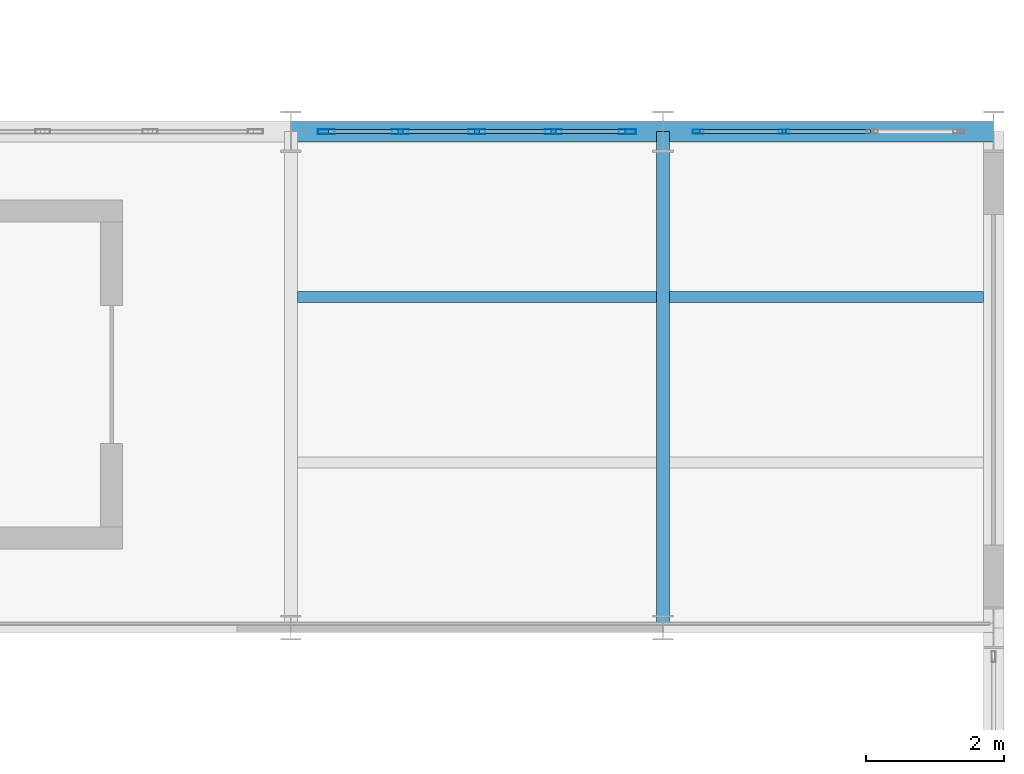
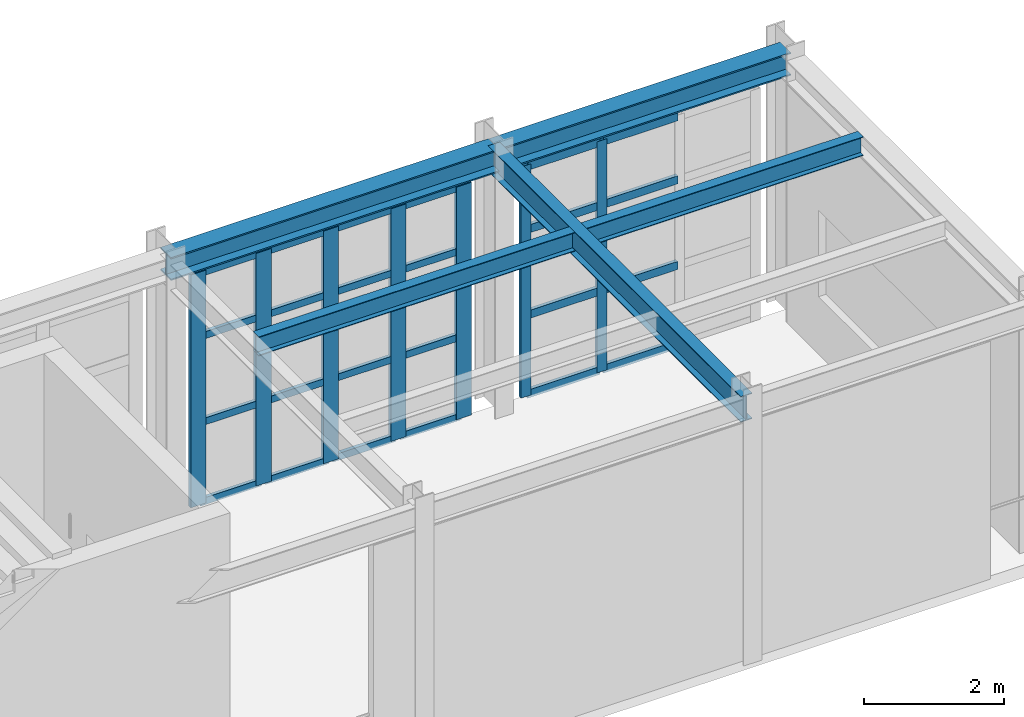
# One storey, part 60 of 121: 31 members, 5 beams, 2 elements without a shape of their own.
"""IFC4 building model written with IfcOpenShell, lengths in metres."""

import ifcopenshell
import ifcopenshell.guid

model = None  # the IFC model being written
_history = None  # IfcOwnerHistory: only IFC2X3 demands one
_inside = {}  # id of a spatial element -> (the spatial element, [elements in it])
_under = {}  # id of a project, library or spatial element -> (it, [spatial elements below it])
_declared = {}  # id of a project -> (the project, [libraries it declares])
_typed = {}  # id of a type object -> (the type object, [elements of that type])
_made_of = {}  # id of a material, layer set ... -> (it, [elements and type objects made of it])


def new_model(schema):
    """Start an empty IFC model of exactly this schema.

    Asked for "IFC4X3", IfcOpenShell would pick the latest addendum, in which some entities
    have other attributes; the version numbers below select the first issue.
    IFC2X3 requires an IfcOwnerHistory on every rooted entity: one is made here for all.
    """
    global model, _history
    if schema == "IFC4X3":
        model = ifcopenshell.file(schema_version=(4, 3, 0, 0))
    else:
        model = ifcopenshell.file(schema=schema)
    _inside.clear()
    _under.clear()
    _declared.clear()
    _typed.clear()
    _made_of.clear()
    _history = None
    if model.schema == "IFC2X3":
        org = make("IfcOrganization", Name="unknown")
        user = make(
            "IfcPersonAndOrganization",
            ThePerson=make("IfcPerson", FamilyName="unknown"),
            TheOrganization=org,
        )
        app = make(
            "IfcApplication",
            ApplicationDeveloper=org,
            Version="unknown",
            ApplicationFullName="unknown",
            ApplicationIdentifier="unknown",
        )
        _history = make(
            "IfcOwnerHistory",
            OwningUser=user,
            OwningApplication=app,
            ChangeAction="ADDED",
            CreationDate=0,
        )
    return model


def make(cls, **values):
    """One entity of the class cls with the attributes given. An attribute that is None is left unset."""
    return model.create_entity(
        cls, **{name: value for name, value in values.items() if value is not None}
    )


def rooted(cls, **values):
    """An entity with a GlobalId (a new one), such as an element, a storey or a relation."""
    return make(cls, GlobalId=ifcopenshell.guid.new(), OwnerHistory=_history, **values)


def si_unit(unit_type, name, prefix=None):
    """IfcSIUnit, for example si_unit("LENGTHUNIT", "METRE", prefix="MILLI")."""
    return make("IfcSIUnit", UnitType=unit_type, Prefix=prefix, Name=name)


def assignment(units):
    """IfcUnitAssignment: the units of a project."""
    return None if units is None else make("IfcUnitAssignment", Units=units)


def point(xyz):
    """IfcCartesianPoint."""
    return None if xyz is None else make("IfcCartesianPoint", Coordinates=xyz)


def direction(xyz):
    """IfcDirection."""
    return None if xyz is None else make("IfcDirection", DirectionRatios=xyz)


def frame(location, z_axis=None, x_axis=None):
    """IfcAxis2Placement3D, a coordinate frame: its origin and axes. An axis left out is left unset."""
    return make(
        "IfcAxis2Placement3D",
        Location=point(location),
        Axis=direction(z_axis),
        RefDirection=direction(x_axis),
    )


def frame_2d(location, x_axis=None):
    """IfcAxis2Placement2D, a coordinate frame in the plane: its origin and x axis."""
    return make(
        "IfcAxis2Placement2D", Location=point(location), RefDirection=direction(x_axis)
    )


def origin():
    """The frame at (0, 0, 0) with its axes left unset."""
    return frame((0.0, 0.0, 0.0))


def origin_2d():
    """The frame at (0, 0) in the plane with its x axis left unset."""
    return frame_2d((0.0, 0.0))


def place(relative_to, where):
    """IfcLocalPlacement: puts the frame where relative to a parent placement (None: the world)."""
    return make(
        "IfcLocalPlacement", PlacementRelTo=relative_to, RelativePlacement=where
    )


def context(
    kind, dimensions, precision=None, world=None, true_north=None, identifier=None
):
    """IfcGeometricRepresentationContext, for example the 3D "Model" context."""
    return make(
        "IfcGeometricRepresentationContext",
        ContextIdentifier=identifier,
        ContextType=kind,
        CoordinateSpaceDimension=dimensions,
        Precision=precision,
        WorldCoordinateSystem=world,
        TrueNorth=true_north,
    )


def subcontext(parent, identifier, kind, view, scale=None):
    """IfcGeometricRepresentationSubContext, for example "Body" below "Model"."""
    return make(
        "IfcGeometricRepresentationSubContext",
        ContextIdentifier=identifier,
        ContextType=kind,
        ParentContext=parent,
        TargetScale=scale,
        TargetView=view,
    )


def project(units=None, contexts=None):
    """IfcProject with its units and contexts."""
    return rooted(
        "IfcProject",
        Name="project",
        RepresentationContexts=contexts,
        UnitsInContext=assignment(units),
    )


def spatial(cls, under=None, at=None, **own):
    """A site, building, storey or space (cls), placed at a placement, below another one or the project."""
    s = rooted(cls, ObjectPlacement=at, **own)
    if under is not None:
        _under.setdefault(under.id(), (under, []))[1].append(s)
    return s


def profile(cls, at=None, kind="AREA", **sizes):
    """A parametric profile (cls). Its sizes go by their IFC names, for example OverallWidth=200.0."""
    return make(cls, ProfileType=kind, Position=at, **sizes)


def hollow_rectangle(**sizes):
    """IfcRectangleHollowProfileDef."""
    return profile("IfcRectangleHollowProfileDef", **sizes)


def i_section(**sizes):
    """IfcIShapeProfileDef."""
    return profile("IfcIShapeProfileDef", **sizes)


def extrude(swept, where, along, depth):
    """IfcExtrudedAreaSolid: the profile swept, set in the frame where, extruded along a direction by depth."""
    return make(
        "IfcExtrudedAreaSolid",
        SweptArea=swept,
        Position=where,
        ExtrudedDirection=direction(along),
        Depth=depth,
    )


def shape(context_of_items, identifier, shape_type, items):
    """IfcShapeRepresentation: the items that make up one representation, for example the "Body"."""
    return make(
        "IfcShapeRepresentation",
        ContextOfItems=context_of_items,
        RepresentationIdentifier=identifier,
        RepresentationType=shape_type,
        Items=items,
    )


def material(Name=None, Category=None):
    """IfcMaterial."""
    return make("IfcMaterial", Name=Name, Category=Category)


def layer(
    of_material, thickness, ventilated=None, Name=None, Category=None, Priority=None
):
    """IfcMaterialLayer: one layer of a wall or slab, of a material (None: an air gap)."""
    return make(
        "IfcMaterialLayer",
        Material=of_material,
        LayerThickness=thickness,
        IsVentilated=ventilated,
        Name=Name,
        Category=Category,
        Priority=Priority,
    )


def layer_set(layers, Name=None):
    """IfcMaterialLayerSet."""
    return make("IfcMaterialLayerSet", MaterialLayers=layers, LayerSetName=Name)


def material_profile(
    of_material, cross_section, Name=None, Category=None, Priority=None
):
    """IfcMaterialProfile: a cross section and its material."""
    return make(
        "IfcMaterialProfile",
        Name=Name,
        Material=of_material,
        Profile=cross_section,
        Priority=Priority,
        Category=Category,
    )


def profile_set(profiles, Name=None, composite=None):
    """IfcMaterialProfileSet."""
    return make(
        "IfcMaterialProfileSet",
        Name=Name,
        MaterialProfiles=profiles,
        CompositeProfile=composite,
    )


def made_of(thing, what):
    """Note that an element or type object is made of a material, layer set ...; save() writes the relation."""
    if what is not None:
        _made_of.setdefault(what.id(), (what, []))[1].append(thing)
    return thing


def type_object(cls, material=None, **own):
    """A type object (cls), such as IfcWallType, which elements share."""
    return made_of(rooted(cls, **own), material)


def element(
    cls,
    number,
    at=None,
    inside=None,
    cuts=None,
    type_object=None,
    material=None,
    context=None,
    identifier="Body",
    shape_type=None,
    held_by="IfcProductDefinitionShape",
    body=None,
    shapes=None,
    **own,
):
    """One element of the class cls, such as IfcWall. Its Tag is "e" and its number.

    at: its placement. inside: the storey or other place that contains it. cuts: it is an
    opening in that element (IfcRelVoidsElement). A single representation is given by context,
    identifier, shape_type and body (its items); several are given by shapes. held_by: the class
    of the entity that holds the representations. save() writes the other relations.
    """
    e = rooted(cls, Tag="e%d" % number, ObjectPlacement=at, **own)
    if body is not None:
        shapes = [shape(context, identifier, shape_type, body)]
    if shapes is not None:
        e.Representation = make(held_by, Representations=shapes)
    if inside is not None:
        _inside.setdefault(inside.id(), (inside, []))[1].append(e)
    if cuts is not None:
        rooted(
            "IfcRelVoidsElement", RelatingBuildingElement=cuts, RelatedOpeningElement=e
        )
    if type_object is not None:
        _typed.setdefault(type_object.id(), (type_object, []))[1].append(e)
    return made_of(e, material)


def aggregate(whole, parts):
    """IfcRelAggregates: a whole, such as a stair, and the parts it consists of."""
    return rooted("IfcRelAggregates", RelatingObject=whole, RelatedObjects=parts)


def save(model, path):
    """Write the relations noted so far, then the file.

    IfcRelAggregates (storeys below a building ...), IfcRelContainedInSpatialStructure (elements
    in a storey), IfcRelDefinesByType, IfcRelAssociatesMaterial and IfcRelDeclares: one each for
    every whole, place, type object, material and project.
    """
    for whole, parts in _under.values():
        aggregate(whole, parts)
    for where, things in _inside.values():
        rooted(
            "IfcRelContainedInSpatialStructure",
            RelatedElements=things,
            RelatingStructure=where,
        )
    for kind, things in _typed.values():
        rooted("IfcRelDefinesByType", RelatedObjects=things, RelatingType=kind)
    for what, things in _made_of.values():
        rooted("IfcRelAssociatesMaterial", RelatedObjects=things, RelatingMaterial=what)
    for by, libraries in _declared.values():
        rooted("IfcRelDeclares", RelatingContext=by, RelatedDefinitions=libraries)
    model.write(path)


model = new_model("IFC4")

# Units and contexts
model_context = context("Model", 3, precision=1e-05, world=origin(), true_north=direction((0.0, 1.0)))
body_context = subcontext(model_context, "Body", "Model", "MODEL_VIEW")
ifc_project = project(units=[si_unit("LENGTHUNIT", "METRE"), si_unit("AREAUNIT", "SQUARE_METRE"), si_unit("VOLUMEUNIT", "CUBIC_METRE"), si_unit("PLANEANGLEUNIT", "RADIAN"), si_unit("MASSUNIT", "GRAM", prefix="KILO")], contexts=[model_context])

# Site, building, storey
site_placement = place(None, origin())
site = spatial("IfcSite", under=ifc_project, at=site_placement, CompositionType="ELEMENT")
building_placement = place(site_placement, origin())
building = spatial("IfcBuilding", under=site, at=building_placement, Name="Solvadek Multi-Sports Hall", CompositionType="ELEMENT")
storey_placement = place(building_placement, frame((0.0, 0.0, 4.800048828125)))
storey = spatial("IfcBuildingStorey", under=building, at=storey_placement, Name="L01", CompositionType="ELEMENT", Elevation=4.800048828125)

# Curtain wall, members
ifc_material_1 = material(Name="Anodised aluminium", Category="aluminium")
ifc_layer_1 = layer(ifc_material_1, 0.159912109375, Name="Anodised aluminium")
ifc_layer_set_1 = layer_set([ifc_layer_1], Name="Anodised aluminium")
curtain_wall_type_1 = type_object("IfcCurtainWallType", Name="ENV-CW-384X402", PredefinedType="USERDEFINED", material=ifc_layer_set_1)
curtain_wall_1_placement = place(storey_placement, origin())
curtain_wall_1 = element("IfcCurtainWall", 1, at=curtain_wall_1_placement, inside=storey, type_object=curtain_wall_type_1, Name="L01 Perimeter Bay Curtain Wall #141", ObjectType="CURTAIN WALL", PredefinedType="USERDEFINED")
ifc_material_profile_1 = material_profile(ifc_material_1, hollow_rectangle(XDim=0.06005859375, YDim=0.159912109375, WallThickness=0.00390625, at=origin_2d()), Name="ALU-M 160x60x4")
ifc_profile_set_1 = profile_set([ifc_material_profile_1], Name="Anodised aluminium")
member_type_1 = type_object("IfcMemberType", Name="ENV-CWM-01", PredefinedType="MULLION", material=ifc_profile_set_1)
member_1_placement = place(storey_placement, frame((157.110107421875, 70.800048828125, 0.0), z_axis=(0.0, 0.0, 1.0), x_axis=(0.0, 1.0, 0.0)))
member_1 = element("IfcMember", 2, at=member_1_placement, type_object=member_type_1, Name="CW-49 mullion 1", PredefinedType="MULLION", context=body_context, shape_type="SweptSolid", body=[
    extrude(hollow_rectangle(XDim=0.06005859375, YDim=0.159912109375, WallThickness=0.00390625, at=origin_2d()), origin(), (0.0, 0.0, 1.0), 4.02490234375),
])
member_2_placement = place(storey_placement, frame((158.360107421875, 70.800048828125, 0.0), z_axis=(0.0, 0.0, 1.0), x_axis=(0.0, 1.0, 0.0)))
member_2 = element("IfcMember", 3, at=member_2_placement, type_object=member_type_1, Name="CW-49 mullion 2", PredefinedType="MULLION", context=body_context, shape_type="SweptSolid", body=[
    extrude(hollow_rectangle(XDim=0.06005859375, YDim=0.159912109375, WallThickness=0.00390625, at=origin_2d()), origin(), (0.0, 0.0, 1.0), 4.02490234375),
])

ifc_layer_2 = layer(ifc_material_1, 0.159912109375, Name="Anodised aluminium")
ifc_layer_set_2 = layer_set([ifc_layer_2], Name="Anodised aluminium")
curtain_wall_type_2 = type_object("IfcCurtainWallType", Name="ENV-CW-444X405", PredefinedType="USERDEFINED", material=ifc_layer_set_2)
curtain_wall_2_placement = place(storey_placement, origin())
curtain_wall_2 = element("IfcCurtainWall", 4, at=curtain_wall_2_placement, inside=storey, type_object=curtain_wall_type_2, Name="L01 Perimeter Bay Curtain Wall #137", ObjectType="CURTAIN WALL", PredefinedType="USERDEFINED")
ifc_material_profile_2 = material_profile(ifc_material_1, hollow_rectangle(XDim=0.070068359375, YDim=0.25, WallThickness=0.0048828125, at=origin_2d()), Name="ALU-M 250x70x5")
ifc_profile_set_2 = profile_set([ifc_material_profile_2], Name="Anodised aluminium")
member_type_2 = type_object("IfcMemberType", Name="ENV-CWM-05", PredefinedType="MULLION", material=ifc_profile_set_2)
member_3_placement = place(storey_placement, frame((151.715087890625, 70.800048828125, 0.0), z_axis=(0.0, 0.0, 1.0), x_axis=(0.0, 1.0, 0.0)))
member_3 = element("IfcMember", 5, at=member_3_placement, type_object=member_type_2, Name="CW-46 mullion 1", PredefinedType="MULLION", context=body_context, shape_type="SweptSolid", body=[
    extrude(hollow_rectangle(XDim=0.070068359375, YDim=0.25, WallThickness=0.0048828125, at=origin_2d()), origin(), (0.0, 0.0, 1.0), 4.050048828125),
])
member_4_placement = place(storey_placement, frame((152.7900390625, 70.800048828125, 0.0), z_axis=(0.0, 0.0, 1.0), x_axis=(0.0, 1.0, 0.0)))
member_4 = element("IfcMember", 6, at=member_4_placement, type_object=member_type_2, Name="CW-46 mullion 2", PredefinedType="MULLION", context=body_context, shape_type="SweptSolid", body=[
    extrude(hollow_rectangle(XDim=0.070068359375, YDim=0.25, WallThickness=0.0048828125, at=origin_2d()), origin(), (0.0, 0.0, 1.0), 4.050048828125),
])
member_5_placement = place(storey_placement, frame((153.89990234375, 70.800048828125, 0.0), z_axis=(0.0, 0.0, 1.0), x_axis=(0.0, 1.0, 0.0)))
member_5 = element("IfcMember", 7, at=member_5_placement, type_object=member_type_2, Name="CW-46 mullion 3", PredefinedType="MULLION", context=body_context, shape_type="SweptSolid", body=[
    extrude(hollow_rectangle(XDim=0.070068359375, YDim=0.25, WallThickness=0.0048828125, at=origin_2d()), origin(), (0.0, 0.0, 1.0), 4.050048828125),
])
member_6_placement = place(storey_placement, frame((155.010009765625, 70.800048828125, 0.0), z_axis=(0.0, 0.0, 1.0), x_axis=(0.0, 1.0, 0.0)))
member_6 = element("IfcMember", 8, at=member_6_placement, type_object=member_type_2, Name="CW-46 mullion 4", PredefinedType="MULLION", context=body_context, shape_type="SweptSolid", body=[
    extrude(hollow_rectangle(XDim=0.070068359375, YDim=0.25, WallThickness=0.0048828125, at=origin_2d()), origin(), (0.0, 0.0, 1.0), 4.050048828125),
])
member_7_placement = place(storey_placement, frame((156.0849609375, 70.800048828125, 0.0), z_axis=(0.0, 0.0, 1.0), x_axis=(0.0, 1.0, 0.0)))
member_7 = element("IfcMember", 9, at=member_7_placement, type_object=member_type_2, Name="CW-46 mullion 5", PredefinedType="MULLION", context=body_context, shape_type="SweptSolid", body=[
    extrude(hollow_rectangle(XDim=0.070068359375, YDim=0.25, WallThickness=0.0048828125, at=origin_2d()), origin(), (0.0, 0.0, 1.0), 4.050048828125),
])
ifc_material_profile_3 = material_profile(ifc_material_1, hollow_rectangle(XDim=0.06005859375, YDim=0.1201171875, WallThickness=0.00390625, at=origin_2d()), Name="ALU-T 120x60x4")
ifc_profile_set_3 = profile_set([ifc_material_profile_3], Name="Anodised aluminium")
member_type_3 = type_object("IfcMemberType", Name="ENV-CWT-01", PredefinedType="USERDEFINED", material=ifc_profile_set_3)
member_8_placement = place(storey_placement, frame((151.75, 70.800048828125, 0.030029296875), z_axis=(1.0, 0.0, 0.0), x_axis=(0.0, 1.0, 0.0)))
member_8 = element("IfcMember", 10, at=member_8_placement, type_object=member_type_3, Name="CW-46 transom 1.1", ObjectType="TRANSOM", PredefinedType="USERDEFINED", context=body_context, shape_type="SweptSolid", body=[
    extrude(hollow_rectangle(XDim=0.06005859375, YDim=0.1201171875, WallThickness=0.00390625, at=origin_2d()), origin(), (0.0, 0.0, 1.0), 1.0048828125),
])
member_9_placement = place(storey_placement, frame((151.75, 70.800048828125, 1.4169921875), z_axis=(1.0, 0.0, 0.0), x_axis=(0.0, 1.0, 0.0)))
member_9 = element("IfcMember", 11, at=member_9_placement, type_object=member_type_3, Name="CW-46 transom 1.2", ObjectType="TRANSOM", PredefinedType="USERDEFINED", context=body_context, shape_type="SweptSolid", body=[
    extrude(hollow_rectangle(XDim=0.06005859375, YDim=0.1201171875, WallThickness=0.00390625, at=origin_2d()), origin(), (0.0, 0.0, 1.0), 1.0048828125),
])
member_10_placement = place(storey_placement, frame((151.75, 70.800048828125, 2.916015625), z_axis=(1.0, 0.0, 0.0), x_axis=(0.0, 1.0, 0.0)))
member_10 = element("IfcMember", 12, at=member_10_placement, type_object=member_type_3, Name="CW-46 transom 1.3", ObjectType="TRANSOM", PredefinedType="USERDEFINED", context=body_context, shape_type="SweptSolid", body=[
    extrude(hollow_rectangle(XDim=0.06005859375, YDim=0.1201171875, WallThickness=0.00390625, at=origin_2d()), origin(), (0.0, 0.0, 1.0), 1.0048828125),
])
member_11_placement = place(storey_placement, frame((151.75, 70.800048828125, 4.02001953125), z_axis=(1.0, 0.0, 0.0), x_axis=(0.0, 1.0, 0.0)))
member_11 = element("IfcMember", 13, at=member_11_placement, type_object=member_type_3, Name="CW-46 transom 1.4", ObjectType="TRANSOM", PredefinedType="USERDEFINED", context=body_context, shape_type="SweptSolid", body=[
    extrude(hollow_rectangle(XDim=0.06005859375, YDim=0.1201171875, WallThickness=0.00390625, at=origin_2d()), origin(), (0.0, 0.0, 1.0), 1.0048828125),
])
member_12_placement = place(storey_placement, frame((152.824951171875, 70.800048828125, 0.030029296875), z_axis=(1.0, 0.0, 0.0), x_axis=(0.0, 1.0, 0.0)))
member_12 = element("IfcMember", 14, at=member_12_placement, type_object=member_type_3, Name="CW-46 transom 2.1", ObjectType="TRANSOM", PredefinedType="USERDEFINED", context=body_context, shape_type="SweptSolid", body=[
    extrude(hollow_rectangle(XDim=0.06005859375, YDim=0.1201171875, WallThickness=0.00390625, at=origin_2d()), origin(), (0.0, 0.0, 1.0), 1.0400390625),
])
member_13_placement = place(storey_placement, frame((152.824951171875, 70.800048828125, 1.4169921875), z_axis=(1.0, 0.0, 0.0), x_axis=(0.0, 1.0, 0.0)))
member_13 = element("IfcMember", 15, at=member_13_placement, type_object=member_type_3, Name="CW-46 transom 2.2", ObjectType="TRANSOM", PredefinedType="USERDEFINED", context=body_context, shape_type="SweptSolid", body=[
    extrude(hollow_rectangle(XDim=0.06005859375, YDim=0.1201171875, WallThickness=0.00390625, at=origin_2d()), origin(), (0.0, 0.0, 1.0), 1.0400390625),
])
member_14_placement = place(storey_placement, frame((152.824951171875, 70.800048828125, 2.916015625), z_axis=(1.0, 0.0, 0.0), x_axis=(0.0, 1.0, 0.0)))
member_14 = element("IfcMember", 16, at=member_14_placement, type_object=member_type_3, Name="CW-46 transom 2.3", ObjectType="TRANSOM", PredefinedType="USERDEFINED", context=body_context, shape_type="SweptSolid", body=[
    extrude(hollow_rectangle(XDim=0.06005859375, YDim=0.1201171875, WallThickness=0.00390625, at=origin_2d()), origin(), (0.0, 0.0, 1.0), 1.0400390625),
])
member_15_placement = place(storey_placement, frame((152.824951171875, 70.800048828125, 4.02001953125), z_axis=(1.0, 0.0, 0.0), x_axis=(0.0, 1.0, 0.0)))
member_15 = element("IfcMember", 17, at=member_15_placement, type_object=member_type_3, Name="CW-46 transom 2.4", ObjectType="TRANSOM", PredefinedType="USERDEFINED", context=body_context, shape_type="SweptSolid", body=[
    extrude(hollow_rectangle(XDim=0.06005859375, YDim=0.1201171875, WallThickness=0.00390625, at=origin_2d()), origin(), (0.0, 0.0, 1.0), 1.0400390625),
])
member_16_placement = place(storey_placement, frame((153.93505859375, 70.800048828125, 0.030029296875), z_axis=(1.0, 0.0, 0.0), x_axis=(0.0, 1.0, 0.0)))
member_16 = element("IfcMember", 18, at=member_16_placement, type_object=member_type_3, Name="CW-46 transom 3.1", ObjectType="TRANSOM", PredefinedType="USERDEFINED", context=body_context, shape_type="SweptSolid", body=[
    extrude(hollow_rectangle(XDim=0.06005859375, YDim=0.1201171875, WallThickness=0.00390625, at=origin_2d()), origin(), (0.0, 0.0, 1.0), 1.0400390625),
])
member_17_placement = place(storey_placement, frame((153.93505859375, 70.800048828125, 1.4169921875), z_axis=(1.0, 0.0, 0.0), x_axis=(0.0, 1.0, 0.0)))
member_17 = element("IfcMember", 19, at=member_17_placement, type_object=member_type_3, Name="CW-46 transom 3.2", ObjectType="TRANSOM", PredefinedType="USERDEFINED", context=body_context, shape_type="SweptSolid", body=[
    extrude(hollow_rectangle(XDim=0.06005859375, YDim=0.1201171875, WallThickness=0.00390625, at=origin_2d()), origin(), (0.0, 0.0, 1.0), 1.0400390625),
])
member_18_placement = place(storey_placement, frame((153.93505859375, 70.800048828125, 2.916015625), z_axis=(1.0, 0.0, 0.0), x_axis=(0.0, 1.0, 0.0)))
member_18 = element("IfcMember", 20, at=member_18_placement, type_object=member_type_3, Name="CW-46 transom 3.3", ObjectType="TRANSOM", PredefinedType="USERDEFINED", context=body_context, shape_type="SweptSolid", body=[
    extrude(hollow_rectangle(XDim=0.06005859375, YDim=0.1201171875, WallThickness=0.00390625, at=origin_2d()), origin(), (0.0, 0.0, 1.0), 1.0400390625),
])
member_19_placement = place(storey_placement, frame((153.93505859375, 70.800048828125, 4.02001953125), z_axis=(1.0, 0.0, 0.0), x_axis=(0.0, 1.0, 0.0)))
member_19 = element("IfcMember", 21, at=member_19_placement, type_object=member_type_3, Name="CW-46 transom 3.4", ObjectType="TRANSOM", PredefinedType="USERDEFINED", context=body_context, shape_type="SweptSolid", body=[
    extrude(hollow_rectangle(XDim=0.06005859375, YDim=0.1201171875, WallThickness=0.00390625, at=origin_2d()), origin(), (0.0, 0.0, 1.0), 1.0400390625),
])
member_20_placement = place(storey_placement, frame((155.044921875, 70.800048828125, 0.030029296875), z_axis=(1.0, 0.0, 0.0), x_axis=(0.0, 1.0, 0.0)))
member_20 = element("IfcMember", 22, at=member_20_placement, type_object=member_type_3, Name="CW-46 transom 4.1", ObjectType="TRANSOM", PredefinedType="USERDEFINED", context=body_context, shape_type="SweptSolid", body=[
    extrude(hollow_rectangle(XDim=0.06005859375, YDim=0.1201171875, WallThickness=0.00390625, at=origin_2d()), origin(), (0.0, 0.0, 1.0), 1.005126953125),
])
member_21_placement = place(storey_placement, frame((155.044921875, 70.800048828125, 1.4169921875), z_axis=(1.0, 0.0, 0.0), x_axis=(0.0, 1.0, 0.0)))
member_21 = element("IfcMember", 23, at=member_21_placement, type_object=member_type_3, Name="CW-46 transom 4.2", ObjectType="TRANSOM", PredefinedType="USERDEFINED", context=body_context, shape_type="SweptSolid", body=[
    extrude(hollow_rectangle(XDim=0.06005859375, YDim=0.1201171875, WallThickness=0.00390625, at=origin_2d()), origin(), (0.0, 0.0, 1.0), 1.005126953125),
])
member_22_placement = place(storey_placement, frame((155.044921875, 70.800048828125, 2.916015625), z_axis=(1.0, 0.0, 0.0), x_axis=(0.0, 1.0, 0.0)))
member_22 = element("IfcMember", 24, at=member_22_placement, type_object=member_type_3, Name="CW-46 transom 4.3", ObjectType="TRANSOM", PredefinedType="USERDEFINED", context=body_context, shape_type="SweptSolid", body=[
    extrude(hollow_rectangle(XDim=0.06005859375, YDim=0.1201171875, WallThickness=0.00390625, at=origin_2d()), origin(), (0.0, 0.0, 1.0), 1.005126953125),
])
member_23_placement = place(storey_placement, frame((155.044921875, 70.800048828125, 4.02001953125), z_axis=(1.0, 0.0, 0.0), x_axis=(0.0, 1.0, 0.0)))
member_23 = element("IfcMember", 25, at=member_23_placement, type_object=member_type_3, Name="CW-46 transom 4.4", ObjectType="TRANSOM", PredefinedType="USERDEFINED", context=body_context, shape_type="SweptSolid", body=[
    extrude(hollow_rectangle(XDim=0.06005859375, YDim=0.1201171875, WallThickness=0.00390625, at=origin_2d()), origin(), (0.0, 0.0, 1.0), 1.005126953125),
])
aggregate(curtain_wall_2, [member_3, member_4, member_5, member_6, member_7, member_8, member_9, member_10, member_11, member_12, member_13, member_14, member_15, member_16, member_17, member_18, member_19, member_20, member_21, member_22, member_23])

# Member
ifc_material_profile_4 = material_profile(ifc_material_1, hollow_rectangle(XDim=0.06005859375, YDim=0.139892578125, WallThickness=0.00390625, at=origin_2d()), Name="ALU-T 140x60x4")
ifc_profile_set_4 = profile_set([ifc_material_profile_4], Name="Anodised aluminium")
member_type_4 = type_object("IfcMemberType", Name="ENV-CWT-02", PredefinedType="USERDEFINED", material=ifc_profile_set_4)
member_24_placement = place(storey_placement, frame((157.139892578125, 70.800048828125, 0.030029296875), z_axis=(1.0, 0.0, 0.0), x_axis=(0.0, 1.0, 0.0)))
member_24 = element("IfcMember", 26, at=member_24_placement, type_object=member_type_4, Name="CW-49 transom 1.1", ObjectType="TRANSOM", PredefinedType="USERDEFINED", context=body_context, shape_type="SweptSolid", body=[
    extrude(hollow_rectangle(XDim=0.06005859375, YDim=0.139892578125, WallThickness=0.00390625, at=origin_2d()), origin(), (0.0, 0.0, 1.0), 1.190185546875),
])

member_25_placement = place(storey_placement, frame((157.139892578125, 70.800048828125, 1.408935546875), z_axis=(1.0, 0.0, 0.0), x_axis=(0.0, 1.0, 0.0)))
member_25 = element("IfcMember", 27, at=member_25_placement, type_object=member_type_4, Name="CW-49 transom 1.2", ObjectType="TRANSOM", PredefinedType="USERDEFINED", context=body_context, shape_type="SweptSolid", body=[
    extrude(hollow_rectangle(XDim=0.06005859375, YDim=0.139892578125, WallThickness=0.00390625, at=origin_2d()), origin(), (0.0, 0.0, 1.0), 1.190185546875),
])

member_26_placement = place(storey_placement, frame((157.139892578125, 70.800048828125, 2.89794921875), z_axis=(1.0, 0.0, 0.0), x_axis=(0.0, 1.0, 0.0)))
member_26 = element("IfcMember", 28, at=member_26_placement, type_object=member_type_4, Name="CW-49 transom 1.3", ObjectType="TRANSOM", PredefinedType="USERDEFINED", context=body_context, shape_type="SweptSolid", body=[
    extrude(hollow_rectangle(XDim=0.06005859375, YDim=0.139892578125, WallThickness=0.00390625, at=origin_2d()), origin(), (0.0, 0.0, 1.0), 1.190185546875),
])

member_27_placement = place(storey_placement, frame((157.139892578125, 70.800048828125, 3.994873046875), z_axis=(1.0, 0.0, 0.0), x_axis=(0.0, 1.0, 0.0)))
member_27 = element("IfcMember", 29, at=member_27_placement, type_object=member_type_4, Name="CW-49 transom 1.4", ObjectType="TRANSOM", PredefinedType="USERDEFINED", context=body_context, shape_type="SweptSolid", body=[
    extrude(hollow_rectangle(XDim=0.06005859375, YDim=0.139892578125, WallThickness=0.00390625, at=origin_2d()), origin(), (0.0, 0.0, 1.0), 1.190185546875),
])

member_28_placement = place(storey_placement, frame((158.389892578125, 70.800048828125, 0.030029296875), z_axis=(1.0, 0.0, 0.0), x_axis=(0.0, 1.0, 0.0)))
member_28 = element("IfcMember", 30, at=member_28_placement, type_object=member_type_4, Name="CW-49 transom 2.1", ObjectType="TRANSOM", PredefinedType="USERDEFINED", context=body_context, shape_type="SweptSolid", body=[
    extrude(hollow_rectangle(XDim=0.06005859375, YDim=0.139892578125, WallThickness=0.00390625, at=origin_2d()), origin(), (0.0, 0.0, 1.0), 1.22021484375),
])

member_29_placement = place(storey_placement, frame((158.389892578125, 70.800048828125, 1.408935546875), z_axis=(1.0, 0.0, 0.0), x_axis=(0.0, 1.0, 0.0)))
member_29 = element("IfcMember", 31, at=member_29_placement, type_object=member_type_4, Name="CW-49 transom 2.2", ObjectType="TRANSOM", PredefinedType="USERDEFINED", context=body_context, shape_type="SweptSolid", body=[
    extrude(hollow_rectangle(XDim=0.06005859375, YDim=0.139892578125, WallThickness=0.00390625, at=origin_2d()), origin(), (0.0, 0.0, 1.0), 1.22021484375),
])

member_30_placement = place(storey_placement, frame((158.389892578125, 70.800048828125, 2.89794921875), z_axis=(1.0, 0.0, 0.0), x_axis=(0.0, 1.0, 0.0)))
member_30 = element("IfcMember", 32, at=member_30_placement, type_object=member_type_4, Name="CW-49 transom 2.3", ObjectType="TRANSOM", PredefinedType="USERDEFINED", context=body_context, shape_type="SweptSolid", body=[
    extrude(hollow_rectangle(XDim=0.06005859375, YDim=0.139892578125, WallThickness=0.00390625, at=origin_2d()), origin(), (0.0, 0.0, 1.0), 1.22021484375),
])

member_31_placement = place(storey_placement, frame((158.389892578125, 70.800048828125, 3.994873046875), z_axis=(1.0, 0.0, 0.0), x_axis=(0.0, 1.0, 0.0)))
member_31 = element("IfcMember", 33, at=member_31_placement, type_object=member_type_4, Name="CW-49 transom 2.4", ObjectType="TRANSOM", PredefinedType="USERDEFINED", context=body_context, shape_type="SweptSolid", body=[
    extrude(hollow_rectangle(XDim=0.06005859375, YDim=0.139892578125, WallThickness=0.00390625, at=origin_2d()), origin(), (0.0, 0.0, 1.0), 1.22021484375),
])

aggregate(curtain_wall_1, [member_1, member_2, member_24, member_25, member_26, member_27, member_28, member_29, member_30, member_31])

# Beams
ifc_material_2 = material(Name="Steel E350 (350 MPa)", Category="steel")
ifc_material_profile_5 = material_profile(ifc_material_2, i_section(OverallWidth=0.18994140625, OverallDepth=0.449951171875, WebThickness=0.009521484375, FlangeThickness=0.0146484375, at=origin_2d()), Name="NPB 450")
ifc_profile_set_5 = profile_set([ifc_material_profile_5], Name="Steel E350 (350 MPa)")
beam_type_1 = type_object("IfcBeamType", Name="STR-BM-NPB450", PredefinedType="BEAM", material=ifc_profile_set_5)
beam_1_placement = place(storey_placement, frame((156.60009765625, 63.60009765625, 4.3349609375), z_axis=(0.0, 1.0, 0.0), x_axis=(-1.0, 0.0, 0.0)))
element("IfcBeam", 34, at=beam_1_placement, inside=storey, type_object=beam_type_1, Name="L01 Girder B-08 #1304", PredefinedType="BEAM", context=body_context, shape_type="SweptSolid", body=[
    extrude(i_section(OverallWidth=0.18994140625, OverallDepth=0.449951171875, WebThickness=0.009521484375, FlangeThickness=0.0146484375, at=origin_2d()), origin(), (0.0, 0.0, 1.0), 7.199951171875),
])
ifc_material_profile_6 = material_profile(ifc_material_2, i_section(OverallWidth=0.159912109375, OverallDepth=0.330078125, WebThickness=0.007568359375, FlangeThickness=0.011474609375, at=origin_2d()), Name="NPB 330")
ifc_profile_set_6 = profile_set([ifc_material_profile_6], Name="Steel E350 (350 MPa)")
beam_type_2 = type_object("IfcBeamType", Name="STR-JST-NPB330", PredefinedType="JOIST", material=ifc_profile_set_6)
beam_2_placement = place(storey_placement, frame((151.294921875, 68.39990234375, 4.39501953125), z_axis=(1.0, 0.0, 0.0), x_axis=(0.0, 1.0, 0.0)))
element("IfcBeam", 35, at=beam_2_placement, inside=storey, type_object=beam_type_2, Name="L01 Composite Joist J-02 #679", PredefinedType="JOIST", context=body_context, shape_type="SweptSolid", body=[
    extrude(i_section(OverallWidth=0.159912109375, OverallDepth=0.330078125, WebThickness=0.007568359375, FlangeThickness=0.011474609375, at=origin_2d()), origin(), (0.0, 0.0, 1.0), 5.2099609375),
])
beam_3_placement = place(storey_placement, frame((156.695068359375, 68.39990234375, 4.39501953125), z_axis=(1.0, 0.0, 0.0), x_axis=(0.0, 1.0, 0.0)))
element("IfcBeam", 36, at=beam_3_placement, inside=storey, type_object=beam_type_2, Name="L01 Composite Joist J-02 #681", PredefinedType="JOIST", context=body_context, shape_type="SweptSolid", body=[
    extrude(i_section(OverallWidth=0.159912109375, OverallDepth=0.330078125, WebThickness=0.007568359375, FlangeThickness=0.011474609375, at=origin_2d()), origin(), (0.0, 0.0, 1.0), 4.554931640625),
])
ifc_material_profile_7 = material_profile(ifc_material_2, i_section(OverallWidth=0.300048828125, OverallDepth=0.39990234375, WebThickness=0.013427734375, FlangeThickness=0.02392578125, at=origin_2d()), Name="WPB 400")
ifc_profile_set_7 = profile_set([ifc_material_profile_7], Name="Steel E350 (350 MPa)")
beam_type_3 = type_object("IfcBeamType", Name="STR-SPN-WPB400", PredefinedType="SPANDREL", material=ifc_profile_set_7)
beam_4_placement = place(storey_placement, frame((151.199951171875, 70.800048828125, 4.35986328125), z_axis=(1.0, 0.0, 0.0), x_axis=(0.0, 1.0, 0.0)))
element("IfcBeam", 37, at=beam_4_placement, inside=storey, type_object=beam_type_3, Name="L01 Girder SP-02 #1058", PredefinedType="SPANDREL", context=body_context, shape_type="SweptSolid", body=[
    extrude(i_section(OverallWidth=0.300048828125, OverallDepth=0.39990234375, WebThickness=0.013427734375, FlangeThickness=0.02392578125, at=origin_2d()), origin(), (0.0, 0.0, 1.0), 5.400146484375),
])
beam_5_placement = place(storey_placement, frame((156.60009765625, 70.800048828125, 4.35986328125), z_axis=(1.0, 0.0, 0.0), x_axis=(0.0, 1.0, 0.0)))
element("IfcBeam", 38, at=beam_5_placement, inside=storey, type_object=beam_type_3, Name="L01 Girder SP-02 #1059", PredefinedType="SPANDREL", context=body_context, shape_type="SweptSolid", body=[
    extrude(i_section(OverallWidth=0.300048828125, OverallDepth=0.39990234375, WebThickness=0.013427734375, FlangeThickness=0.02392578125, at=origin_2d()), origin(), (0.0, 0.0, 1.0), 4.7998046875),
])

save(model, "model.ifc")
